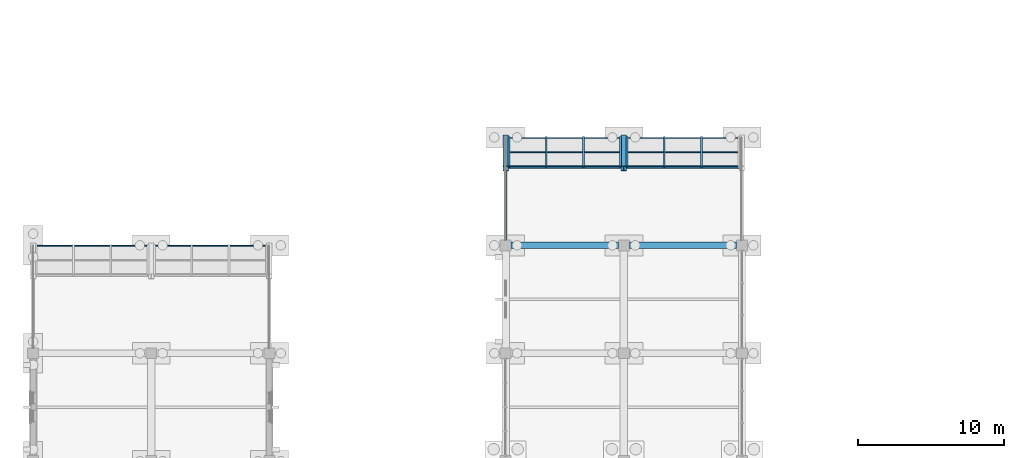
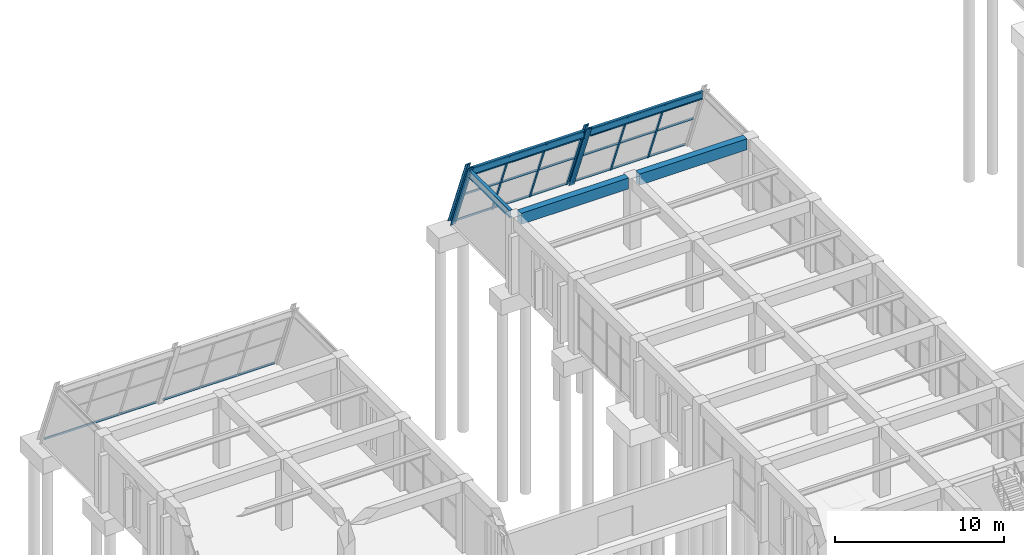
# One storey, part 69 of 140: 17 members, 5 beams, 4 elements without a shape of their own.
"""IFC4 building model written with IfcOpenShell, lengths in metres."""

from ifc_helpers import new_model, si_unit, direction, frame, origin, origin_2d, place, context, subcontext, project, spatial, rectangle, hollow_rectangle, i_section, extrude, material, material_profile, profile_set, type_object, element, aggregate, save


model = new_model("IFC4")

# Units and contexts
model_context = context("Model", 3, precision=1e-05, world=origin(), true_north=direction((0.0, 1.0)))
body_context = subcontext(model_context, "Body", "Model", "MODEL_VIEW")
ifc_project = project(units=[si_unit("LENGTHUNIT", "METRE"), si_unit("AREAUNIT", "SQUARE_METRE"), si_unit("VOLUMEUNIT", "CUBIC_METRE"), si_unit("PLANEANGLEUNIT", "RADIAN"), si_unit("MASSUNIT", "GRAM", prefix="KILO")], contexts=[model_context])

# Site, building, storey
site_placement = place(None, origin())
site = spatial("IfcSite", under=ifc_project, at=site_placement, CompositionType="ELEMENT")
building_placement = place(site_placement, origin())
building = spatial("IfcBuilding", under=site, at=building_placement, Name="Cimatlan Art Gallery", CompositionType="ELEMENT")
storey_placement = place(building_placement, origin())
storey = spatial("IfcBuildingStorey", under=building, at=storey_placement, Name="L00", CompositionType="ELEMENT", Elevation=0.0)

# Beams
ifc_material_1 = material(Name="Concrete C40/50", Category="concrete")
ifc_material_profile_1 = material_profile(ifc_material_1, rectangle(XDim=0.449951171875, YDim=0.800048828125, at=origin_2d()), Name="RC450X800")
ifc_profile_set_1 = profile_set([ifc_material_profile_1], Name="Concrete C40/50")
beam_type_1 = type_object("IfcBeamType", Name="BM-RC-450X800", PredefinedType="BEAM", material=ifc_profile_set_1)
for number, where, z_axis, x_axis, name in (
    (1, (34.77490234375, 97.89990234375, 4.735107421875), (1.0, 0.0, 0.0), (0.0, 1.0, 0.0), "BM-X-L00-04-13"),
    (2, (42.875, 97.89990234375, 4.735107421875), (1.0, 0.0, 0.0), (0.0, 1.0, 0.0), "BM-X-L00-05-13"),
):
    element("IfcBeam", number, at=place(storey_placement, frame(where, z_axis=z_axis, x_axis=x_axis)), inside=storey, type_object=beam_type_1, Name=name, PredefinedType="BEAM", context=body_context, shape_type="SweptSolid", body=[
        extrude(rectangle(XDim=0.449951171875, YDim=0.800048828125, at=origin_2d()), origin(), (0.0, 0.0, 1.0), 7.35009765625),
    ])
ifc_material_2 = material(Name="Steel ASTM A992 Grade 50", Category="steel")
ifc_material_profile_2 = material_profile(ifc_material_2, i_section(OverallWidth=0.2099609375, OverallDepth=0.532958984375, WebThickness=0.01025390625, FlangeThickness=0.015625, at=origin_2d()), Name="W21X62")
ifc_profile_set_2 = profile_set([ifc_material_profile_2], Name="Steel ASTM A992 Grade 50")
beam_type_2 = type_object("IfcBeamType", Name="BM-STL-W21X62", PredefinedType="BEAM", material=ifc_profile_set_2)
for number, where, z_axis, x_axis, name in (
    (3, (34.590087890625, 103.27734375, 4.868408203125), (1.0, 0.0, 0.0), (0.0, 1.0, 0.0), "BM-PRW-X-L00-B2-4"),
    (4, (42.68994140625, 103.27734375, 4.868408203125), (1.0, 0.0, 0.0), (0.0, 1.0, 0.0), "BM-PRW-X-L00-B2-5"),
):
    element("IfcBeam", number, at=place(storey_placement, frame(where, z_axis=z_axis, x_axis=x_axis)), inside=storey, type_object=beam_type_2, Name=name, PredefinedType="BEAM", context=body_context, shape_type="SweptSolid", body=[
        extrude(i_section(OverallWidth=0.2099609375, OverallDepth=0.532958984375, WebThickness=0.01025390625, FlangeThickness=0.015625, at=origin_2d()), origin(), (0.0, 0.0, 1.0), 7.719970703125),
    ])
beam_placement = place(storey_placement, frame((34.39990234375, 98.27490234375, 4.868408203125), z_axis=(0.0, 1.0, 0.0), x_axis=(-1.0, 0.0, 0.0)))
element("IfcBeam", 5, at=beam_placement, inside=storey, type_object=beam_type_2, Name="BM-PRW-Y-L00-B2-4", PredefinedType="BEAM", context=body_context, shape_type="SweptSolid", body=[
    extrude(i_section(OverallWidth=0.2099609375, OverallDepth=0.532958984375, WebThickness=0.01025390625, FlangeThickness=0.015625, at=origin_2d()), origin(), (0.0, 0.0, 1.0), 4.8125),
])

# Curtain wall, members
ifc_material_3 = material(Name="Raked steel-and-bronze lancet curtain wall", Category="steel")
curtain_wall_type = type_object("IfcCurtainWallType", Name="CW-RAK-07660X05503-B3", PredefinedType="NOTDEFINED", material=ifc_material_3)
curtain_wall_1_placement = place(storey_placement, origin())
curtain_wall_1 = element("IfcCurtainWall", 6, at=curtain_wall_1_placement, inside=storey, type_object=curtain_wall_type, Name="CW-PROW-L00-B2-4", PredefinedType="NOTDEFINED")
ifc_material_4 = material(Name="Steel ASTM A500 Grade C", Category="steel")
ifc_material_profile_3 = material_profile(ifc_material_4, hollow_rectangle(XDim=0.1201171875, YDim=0.1201171875, WallThickness=0.00634765625, at=origin_2d()), Name="HSS120X120X6")
ifc_profile_set_3 = profile_set([ifc_material_profile_3], Name="Steel ASTM A500 Grade C")
member_type_1 = type_object("IfcMemberType", Name="CW-MUL-RAK", PredefinedType="MULLION", material=ifc_profile_set_3)
member_1_placement = place(storey_placement, frame((34.6201171875, 105.300048828125, 0.0), z_axis=(0.0, -0.366497751223, 0.930418937011), x_axis=(1.0, 0.0, 0.0)))
member_1 = element("IfcMember", 7, at=member_1_placement, type_object=member_type_1, Name="CW-PROW-L00-B2-4-M1", PredefinedType="MULLION", context=body_context, shape_type="SweptSolid", body=[
    extrude(hollow_rectangle(XDim=0.1201171875, YDim=0.1201171875, WallThickness=0.00634765625, at=origin_2d()), origin(), (0.0, 0.0, 1.0), 5.5029296875),
])
member_2_placement = place(storey_placement, frame((37.17333984375, 105.300048828125, 0.0), z_axis=(0.0, -0.366497751223, 0.930418937011), x_axis=(1.0, 0.0, 0.0)))
member_2 = element("IfcMember", 8, at=member_2_placement, type_object=member_type_1, Name="CW-PROW-L00-B2-4-M2", PredefinedType="MULLION", context=body_context, shape_type="SweptSolid", body=[
    extrude(hollow_rectangle(XDim=0.1201171875, YDim=0.1201171875, WallThickness=0.00634765625, at=origin_2d()), origin(), (0.0, 0.0, 1.0), 5.5029296875),
])
member_3_placement = place(storey_placement, frame((39.726806640625, 105.300048828125, 0.0), z_axis=(0.0, -0.366497751223, 0.930418937011), x_axis=(1.0, 0.0, 0.0)))
member_3 = element("IfcMember", 9, at=member_3_placement, type_object=member_type_1, Name="CW-PROW-L00-B2-4-M3", PredefinedType="MULLION", context=body_context, shape_type="SweptSolid", body=[
    extrude(hollow_rectangle(XDim=0.1201171875, YDim=0.1201171875, WallThickness=0.00634765625, at=origin_2d()), origin(), (0.0, 0.0, 1.0), 5.5029296875),
])
member_4_placement = place(storey_placement, frame((42.280029296875, 105.300048828125, 0.0), z_axis=(0.0, -0.366497751223, 0.930418937011), x_axis=(1.0, 0.0, 0.0)))
member_4 = element("IfcMember", 10, at=member_4_placement, type_object=member_type_1, Name="CW-PROW-L00-B2-4-M4", PredefinedType="MULLION", context=body_context, shape_type="SweptSolid", body=[
    extrude(hollow_rectangle(XDim=0.1201171875, YDim=0.1201171875, WallThickness=0.00634765625, at=origin_2d()), origin(), (0.0, 0.0, 1.0), 5.5029296875),
])

curtain_wall_2_placement = place(storey_placement, origin())
curtain_wall_2 = element("IfcCurtainWall", 11, at=curtain_wall_2_placement, inside=storey, type_object=curtain_wall_type, Name="CW-PROW-L00-B2-5", PredefinedType="NOTDEFINED")
member_5_placement = place(storey_placement, frame((42.719970703125, 105.300048828125, 0.0), z_axis=(0.0, -0.366497751223, 0.930418937011), x_axis=(1.0, 0.0, 0.0)))
member_5 = element("IfcMember", 12, at=member_5_placement, type_object=member_type_1, Name="CW-PROW-L00-B2-5-M1", PredefinedType="MULLION", context=body_context, shape_type="SweptSolid", body=[
    extrude(hollow_rectangle(XDim=0.1201171875, YDim=0.1201171875, WallThickness=0.00634765625, at=origin_2d()), origin(), (0.0, 0.0, 1.0), 5.5029296875),
])
member_6_placement = place(storey_placement, frame((45.273193359375, 105.300048828125, 0.0), z_axis=(0.0, -0.366497751223, 0.930418937011), x_axis=(1.0, 0.0, 0.0)))
member_6 = element("IfcMember", 13, at=member_6_placement, type_object=member_type_1, Name="CW-PROW-L00-B2-5-M2", PredefinedType="MULLION", context=body_context, shape_type="SweptSolid", body=[
    extrude(hollow_rectangle(XDim=0.1201171875, YDim=0.1201171875, WallThickness=0.00634765625, at=origin_2d()), origin(), (0.0, 0.0, 1.0), 5.5029296875),
])
member_7_placement = place(storey_placement, frame((47.82666015625, 105.300048828125, 0.0), z_axis=(0.0, -0.366497751223, 0.930418937011), x_axis=(1.0, 0.0, 0.0)))
member_7 = element("IfcMember", 14, at=member_7_placement, type_object=member_type_1, Name="CW-PROW-L00-B2-5-M3", PredefinedType="MULLION", context=body_context, shape_type="SweptSolid", body=[
    extrude(hollow_rectangle(XDim=0.1201171875, YDim=0.1201171875, WallThickness=0.00634765625, at=origin_2d()), origin(), (0.0, 0.0, 1.0), 5.5029296875),
])

# Curtain wall, member
curtain_wall_3_placement = place(storey_placement, origin())
curtain_wall_3 = element("IfcCurtainWall", 15, at=curtain_wall_3_placement, inside=storey, type_object=curtain_wall_type, Name="CW-PROW-L00-B1-0", PredefinedType="NOTDEFINED")
ifc_material_5 = material(Name="Anodised bronze aluminium 6063-T6", Category="aluminium")
ifc_material_profile_4 = material_profile(ifc_material_5, hollow_rectangle(XDim=0.06494140625, YDim=0.139892578125, WallThickness=0.00390625, at=origin_2d()), Name="ALU65X140X4")
ifc_profile_set_4 = profile_set([ifc_material_profile_4], Name="Anodised bronze aluminium 6063-T6")
member_type_2 = type_object("IfcMemberType", Name="CW-TRN-140", PredefinedType="USERDEFINED", material=ifc_profile_set_4)
member_8_placement = place(storey_placement, frame((2.219970703125, 97.859619140625, 0.102294921875), z_axis=(1.0, 0.0, 0.0), x_axis=(0.0, 1.0, 0.0)))
member_8 = element("IfcMember", 16, at=member_8_placement, type_object=member_type_2, Name="CW-PROW-L00-B1-0-T1", ObjectType="TRANSOM", PredefinedType="USERDEFINED", context=body_context, shape_type="SweptSolid", body=[
    extrude(hollow_rectangle(XDim=0.06494140625, YDim=0.139892578125, WallThickness=0.00390625, at=origin_2d()), origin(), (0.0, 0.0, 1.0), 7.659912109375),
])
aggregate(curtain_wall_3, [member_8])

curtain_wall_4_placement = place(storey_placement, origin())
curtain_wall_4 = element("IfcCurtainWall", 17, at=curtain_wall_4_placement, inside=storey, type_object=curtain_wall_type, Name="CW-PROW-L00-B1-1", PredefinedType="NOTDEFINED")
member_9_placement = place(storey_placement, frame((10.320068359375, 97.859619140625, 0.102294921875), z_axis=(1.0, 0.0, 0.0), x_axis=(0.0, 1.0, 0.0)))
member_9 = element("IfcMember", 18, at=member_9_placement, type_object=member_type_2, Name="CW-PROW-L00-B1-1-T1", ObjectType="TRANSOM", PredefinedType="USERDEFINED", context=body_context, shape_type="SweptSolid", body=[
    extrude(hollow_rectangle(XDim=0.06494140625, YDim=0.139892578125, WallThickness=0.00390625, at=origin_2d()), origin(), (0.0, 0.0, 1.0), 7.659912109375),
])
aggregate(curtain_wall_4, [member_9])

# Member
member_10_placement = place(storey_placement, frame((34.6201171875, 105.259765625, 0.102294921875), z_axis=(1.0, 0.0, 0.0), x_axis=(0.0, 1.0, 0.0)))
member_10 = element("IfcMember", 19, at=member_10_placement, type_object=member_type_2, Name="CW-PROW-L00-B2-4-T1", ObjectType="TRANSOM", PredefinedType="USERDEFINED", context=body_context, shape_type="SweptSolid", body=[
    extrude(hollow_rectangle(XDim=0.06494140625, YDim=0.139892578125, WallThickness=0.00390625, at=origin_2d()), origin(), (0.0, 0.0, 1.0), 7.659912109375),
])

member_11_placement = place(storey_placement, frame((34.6201171875, 104.29150390625, 2.56005859375), z_axis=(1.0, 0.0, 0.0), x_axis=(0.0, 1.0, 0.0)))
member_11 = element("IfcMember", 20, at=member_11_placement, type_object=member_type_2, Name="CW-PROW-L00-B2-4-T2", ObjectType="TRANSOM", PredefinedType="USERDEFINED", context=body_context, shape_type="SweptSolid", body=[
    extrude(hollow_rectangle(XDim=0.06494140625, YDim=0.139892578125, WallThickness=0.00390625, at=origin_2d()), origin(), (0.0, 0.0, 1.0), 7.659912109375),
])

member_12_placement = place(storey_placement, frame((34.6201171875, 103.323486328125, 5.017578125), z_axis=(1.0, 0.0, 0.0), x_axis=(0.0, 1.0, 0.0)))
member_12 = element("IfcMember", 21, at=member_12_placement, type_object=member_type_2, Name="CW-PROW-L00-B2-4-T3", ObjectType="TRANSOM", PredefinedType="USERDEFINED", context=body_context, shape_type="SweptSolid", body=[
    extrude(hollow_rectangle(XDim=0.06494140625, YDim=0.139892578125, WallThickness=0.00390625, at=origin_2d()), origin(), (0.0, 0.0, 1.0), 7.659912109375),
])

aggregate(curtain_wall_1, [member_1, member_2, member_3, member_4, member_10, member_11, member_12])

member_13_placement = place(storey_placement, frame((42.719970703125, 105.259765625, 0.102294921875), z_axis=(1.0, 0.0, 0.0), x_axis=(0.0, 1.0, 0.0)))
member_13 = element("IfcMember", 22, at=member_13_placement, type_object=member_type_2, Name="CW-PROW-L00-B2-5-T1", ObjectType="TRANSOM", PredefinedType="USERDEFINED", context=body_context, shape_type="SweptSolid", body=[
    extrude(hollow_rectangle(XDim=0.06494140625, YDim=0.139892578125, WallThickness=0.00390625, at=origin_2d()), origin(), (0.0, 0.0, 1.0), 7.659912109375),
])

member_14_placement = place(storey_placement, frame((42.719970703125, 104.29150390625, 2.56005859375), z_axis=(1.0, 0.0, 0.0), x_axis=(0.0, 1.0, 0.0)))
member_14 = element("IfcMember", 23, at=member_14_placement, type_object=member_type_2, Name="CW-PROW-L00-B2-5-T2", ObjectType="TRANSOM", PredefinedType="USERDEFINED", context=body_context, shape_type="SweptSolid", body=[
    extrude(hollow_rectangle(XDim=0.06494140625, YDim=0.139892578125, WallThickness=0.00390625, at=origin_2d()), origin(), (0.0, 0.0, 1.0), 7.659912109375),
])

member_15_placement = place(storey_placement, frame((42.719970703125, 103.323486328125, 5.017578125), z_axis=(1.0, 0.0, 0.0), x_axis=(0.0, 1.0, 0.0)))
member_15 = element("IfcMember", 24, at=member_15_placement, type_object=member_type_2, Name="CW-PROW-L00-B2-5-T3", ObjectType="TRANSOM", PredefinedType="USERDEFINED", context=body_context, shape_type="SweptSolid", body=[
    extrude(hollow_rectangle(XDim=0.06494140625, YDim=0.139892578125, WallThickness=0.00390625, at=origin_2d()), origin(), (0.0, 0.0, 1.0), 7.659912109375),
])

aggregate(curtain_wall_2, [member_5, member_6, member_7, member_13, member_14, member_15])

# Members
ifc_material_profile_5 = material_profile(ifc_material_2, i_section(OverallWidth=0.37109375, OverallDepth=0.364013671875, WebThickness=0.01318359375, FlangeThickness=0.021728515625, at=origin_2d()), Name="W14X109")
ifc_profile_set_5 = profile_set([ifc_material_profile_5], Name="Steel ASTM A992 Grade 50")
member_type_3 = type_object("IfcMemberType", Name="MBR-RAK-W14X109", PredefinedType="RAFTER", material=ifc_profile_set_5)
for number, where, z_axis, x_axis, name in (
    (25, (34.39990234375, 105.300048828125, 0.0), (0.0, -0.366519001006, 0.93041056631), (1.0, 0.0, 0.0), "MBR-RAK-L00-B2-04"),
    (26, (42.5, 105.300048828125, 0.0), (0.0, -0.366519001006, 0.93041056631), (1.0, 0.0, 0.0), "MBR-RAK-L00-B2-05"),
):
    element("IfcMember", number, at=place(storey_placement, frame(where, z_axis=z_axis, x_axis=x_axis)), inside=storey, type_object=member_type_3, Name=name, PredefinedType="RAFTER", context=body_context, shape_type="SweptSolid", body=[
        extrude(i_section(OverallWidth=0.37109375, OverallDepth=0.364013671875, WebThickness=0.01318359375, FlangeThickness=0.021728515625, at=origin_2d()), origin(), (0.0, 0.0, 1.0), 5.8037109375),
    ])

save(model, "model.ifc")
